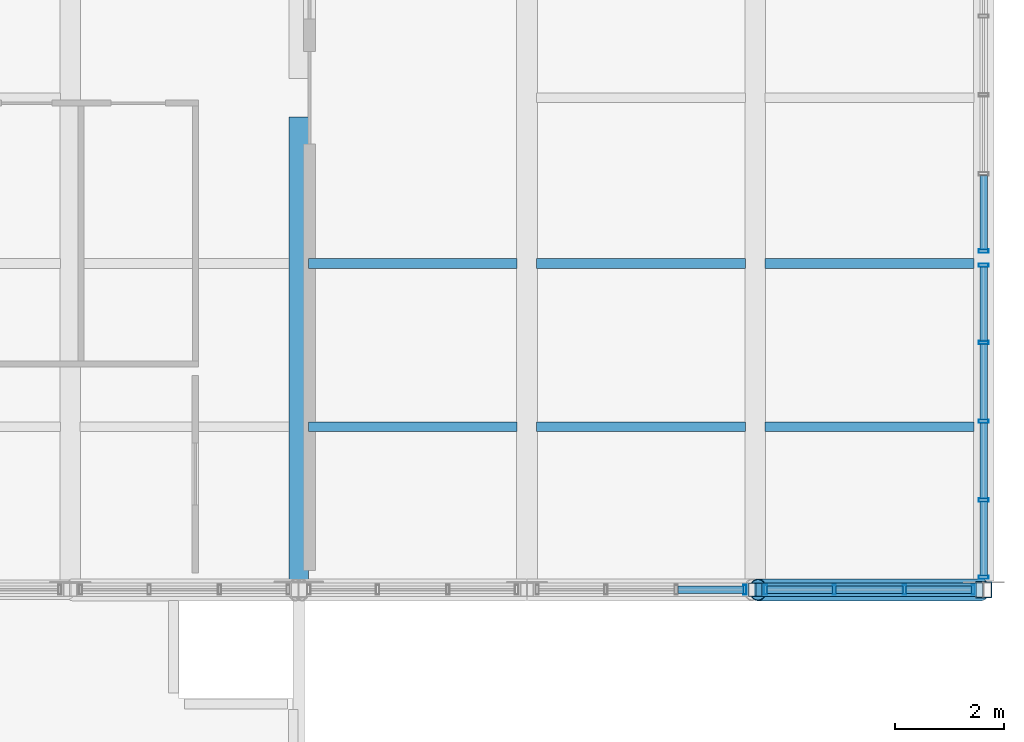
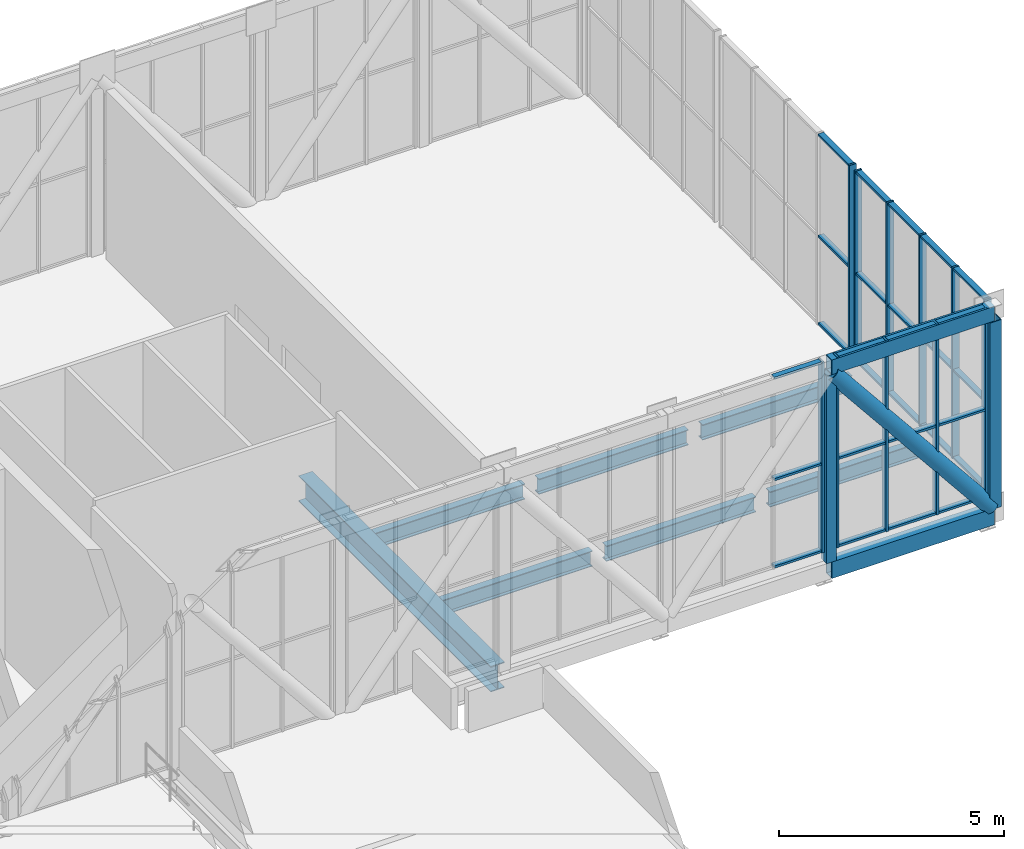
# One storey, part 37 of 58: 43 members, 7 beams, 4 elements without a shape of their own.
"""IFC4 building model written with IfcOpenShell, lengths in metres."""

from ifc_helpers import new_model, si_unit, direction, frame, origin, origin_2d, place, context, subcontext, project, spatial, hollow_rectangle, hollow_circle, i_section, extrude, material, material_profile, profile_set, type_object, element, aggregate, save


model = new_model("IFC4")

# Units and contexts
model_context = context("Model", 3, precision=1e-05, world=origin(), true_north=direction((0.0, 1.0)))
body_context = subcontext(model_context, "Body", "Model", "MODEL_VIEW")
ifc_project = project(units=[si_unit("LENGTHUNIT", "METRE"), si_unit("AREAUNIT", "SQUARE_METRE"), si_unit("VOLUMEUNIT", "CUBIC_METRE"), si_unit("PLANEANGLEUNIT", "RADIAN"), si_unit("MASSUNIT", "GRAM", prefix="KILO")], contexts=[model_context])

# Site, building, storey
site_placement = place(None, origin())
site = spatial("IfcSite", under=ifc_project, at=site_placement, CompositionType="ELEMENT")
building_placement = place(site_placement, origin())
building = spatial("IfcBuilding", under=site, at=building_placement, Name="Khurvash Pelagic Aquarium", CompositionType="ELEMENT")
storey_placement = place(building_placement, frame((0.0, 0.0, 24.60009765625)))
storey = spatial("IfcBuildingStorey", under=building, at=storey_placement, Name="L05", CompositionType="ELEMENT", Elevation=24.60009765625)

# Beam
ifc_material_1 = material(Name="Steel ASTM A992 Grade 50", Category="steel")
ifc_material_profile_1 = material_profile(ifc_material_1, i_section(OverallWidth=0.35595703125, OverallDepth=0.696044921875, WebThickness=0.015380859375, FlangeThickness=0.02490234375, at=origin_2d()), Name="W27X146")
ifc_profile_set_1 = profile_set([ifc_material_profile_1], Name="Steel ASTM A992 Grade 50")
beam_type_1 = type_object("IfcBeamType", Name="BM-09", PredefinedType="BEAM", material=ifc_profile_set_1)
beam_placement = place(storey_placement, frame((109.199951171875, 11.81005859375, -0.648193359375), z_axis=(0.0, 1.0, 0.0), x_axis=(-1.0, 0.0, 0.0)))
element("IfcBeam", 1, at=beam_placement, inside=storey, type_object=beam_type_1, Name="L05 Sky-Bar Transverse Floor Girder BM-09 N24", PredefinedType="BEAM", context=body_context, shape_type="SweptSolid", body=[
    extrude(i_section(OverallWidth=0.35595703125, OverallDepth=0.696044921875, WebThickness=0.015380859375, FlangeThickness=0.02490234375, at=origin_2d()), origin(), (0.0, 0.0, 1.0), 8.5400390625),
])

# Curtain wall, member
ifc_material_2 = material(Name="Anodised aluminium and low-E laminated glass", Category="aluminium")
curtain_wall_type_1 = type_object("IfcCurtainWallType", Name="CW-01", PredefinedType="USERDEFINED", material=ifc_material_2)
curtain_wall_1_placement = place(storey_placement, origin())
curtain_wall_1 = element("IfcCurtainWall", 2, at=curtain_wall_1_placement, inside=storey, type_object=curtain_wall_type_1, Name="L05 South Sky-Bar Unitised Curtain Wall CW-01 P25", ObjectType="UNITISED CURTAIN WALL", PredefinedType="USERDEFINED")
ifc_material_3 = material(Name="Extruded aluminium AW-6063-T6", Category="aluminium")
ifc_material_profile_2 = material_profile(ifc_material_3, hollow_rectangle(XDim=0.06005859375, YDim=0.179931640625, WallThickness=0.00390625, at=origin_2d()), Name="CWM60X180X4")
ifc_profile_set_2 = profile_set([ifc_material_profile_2], Name="Extruded aluminium AW-6063-T6")
member_type_1 = type_object("IfcMemberType", Name="CM-01", PredefinedType="MULLION", material=ifc_profile_set_2)
member_1_placement = place(storey_placement, frame((117.409912109375, 11.64990234375, 0.0), z_axis=(0.0, 0.0, 1.0), x_axis=(1.0, 0.0, 0.0)))
member_1 = element("IfcMember", 3, at=member_1_placement, type_object=member_type_1, Name="CW-01 mullion 4", PredefinedType="MULLION", context=body_context, shape_type="SweptSolid", body=[
    extrude(hollow_rectangle(XDim=0.06005859375, YDim=0.179931640625, WallThickness=0.00390625, at=origin_2d()), origin(), (0.0, 0.0, 1.0), 5.179931640625),
])

# Curtain wall, members
curtain_wall_2_placement = place(storey_placement, origin())
curtain_wall_2 = element("IfcCurtainWall", 4, at=curtain_wall_2_placement, inside=storey, type_object=curtain_wall_type_1, Name="L05 South Sky-Bar Unitised Curtain Wall CW-01 P26", ObjectType="UNITISED CURTAIN WALL", PredefinedType="USERDEFINED")
member_2_placement = place(storey_placement, frame((117.7900390625, 11.64990234375, 0.0), z_axis=(0.0, 0.0, 1.0), x_axis=(1.0, 0.0, 0.0)))
member_2 = element("IfcMember", 5, at=member_2_placement, type_object=member_type_1, Name="CW-01 mullion 1", PredefinedType="MULLION", context=body_context, shape_type="SweptSolid", body=[
    extrude(hollow_rectangle(XDim=0.06005859375, YDim=0.179931640625, WallThickness=0.00390625, at=origin_2d()), origin(), (0.0, 0.0, 1.0), 5.179931640625),
])
member_3_placement = place(storey_placement, frame((119.05322265625, 11.64990234375, 0.0), z_axis=(0.0, 0.0, 1.0), x_axis=(1.0, 0.0, 0.0)))
member_3 = element("IfcMember", 6, at=member_3_placement, type_object=member_type_1, Name="CW-01 mullion 2", PredefinedType="MULLION", context=body_context, shape_type="SweptSolid", body=[
    extrude(hollow_rectangle(XDim=0.06005859375, YDim=0.179931640625, WallThickness=0.00390625, at=origin_2d()), origin(), (0.0, 0.0, 1.0), 5.179931640625),
])
member_4_placement = place(storey_placement, frame((120.3466796875, 11.64990234375, 0.0), z_axis=(0.0, 0.0, 1.0), x_axis=(1.0, 0.0, 0.0)))
member_4 = element("IfcMember", 7, at=member_4_placement, type_object=member_type_1, Name="CW-01 mullion 3", PredefinedType="MULLION", context=body_context, shape_type="SweptSolid", body=[
    extrude(hollow_rectangle(XDim=0.06005859375, YDim=0.179931640625, WallThickness=0.00390625, at=origin_2d()), origin(), (0.0, 0.0, 1.0), 5.179931640625),
])
member_5_placement = place(storey_placement, frame((121.610107421875, 11.64990234375, 0.0), z_axis=(0.0, 0.0, 1.0), x_axis=(1.0, 0.0, 0.0)))
member_5 = element("IfcMember", 8, at=member_5_placement, type_object=member_type_1, Name="CW-01 mullion 4", PredefinedType="MULLION", context=body_context, shape_type="SweptSolid", body=[
    extrude(hollow_rectangle(XDim=0.06005859375, YDim=0.179931640625, WallThickness=0.00390625, at=origin_2d()), origin(), (0.0, 0.0, 1.0), 5.179931640625),
])

curtain_wall_type_2 = type_object("IfcCurtainWallType", Name="CW-04", PredefinedType="USERDEFINED", material=ifc_material_2)
curtain_wall_3_placement = place(storey_placement, origin())
curtain_wall_3 = element("IfcCurtainWall", 9, at=curtain_wall_3_placement, inside=storey, type_object=curtain_wall_type_2, Name="L05 East Cantilever Overlook Curtain Wall CW-04", ObjectType="UNITISED CURTAIN WALL", PredefinedType="USERDEFINED")
member_6_placement = place(storey_placement, frame((121.800048828125, 11.8798828125, 0.0), z_axis=(0.0, 0.0, 1.0), x_axis=(0.0, 1.0, 0.0)))
member_6 = element("IfcMember", 10, at=member_6_placement, type_object=member_type_1, Name="CW-04 mullion 1", PredefinedType="MULLION", context=body_context, shape_type="SweptSolid", body=[
    extrude(hollow_rectangle(XDim=0.06005859375, YDim=0.179931640625, WallThickness=0.00390625, at=origin_2d()), origin(), (0.0, 0.0, 1.0), 5.179931640625),
])
member_7_placement = place(storey_placement, frame((121.800048828125, 13.300048828125, 0.0), z_axis=(0.0, 0.0, 1.0), x_axis=(0.0, 1.0, 0.0)))
member_7 = element("IfcMember", 11, at=member_7_placement, type_object=member_type_1, Name="CW-04 mullion 2", PredefinedType="MULLION", context=body_context, shape_type="SweptSolid", body=[
    extrude(hollow_rectangle(XDim=0.06005859375, YDim=0.179931640625, WallThickness=0.00390625, at=origin_2d()), origin(), (0.0, 0.0, 1.0), 5.179931640625),
])
member_8_placement = place(storey_placement, frame((121.800048828125, 14.75, 0.0), z_axis=(0.0, 0.0, 1.0), x_axis=(0.0, 1.0, 0.0)))
member_8 = element("IfcMember", 12, at=member_8_placement, type_object=member_type_1, Name="CW-04 mullion 3", PredefinedType="MULLION", context=body_context, shape_type="SweptSolid", body=[
    extrude(hollow_rectangle(XDim=0.06005859375, YDim=0.179931640625, WallThickness=0.00390625, at=origin_2d()), origin(), (0.0, 0.0, 1.0), 5.179931640625),
])
member_9_placement = place(storey_placement, frame((121.800048828125, 16.199951171875, 0.0), z_axis=(0.0, 0.0, 1.0), x_axis=(0.0, 1.0, 0.0)))
member_9 = element("IfcMember", 13, at=member_9_placement, type_object=member_type_1, Name="CW-04 mullion 4", PredefinedType="MULLION", context=body_context, shape_type="SweptSolid", body=[
    extrude(hollow_rectangle(XDim=0.06005859375, YDim=0.179931640625, WallThickness=0.00390625, at=origin_2d()), origin(), (0.0, 0.0, 1.0), 5.179931640625),
])
member_10_placement = place(storey_placement, frame((121.800048828125, 17.6201171875, 0.0), z_axis=(0.0, 0.0, 1.0), x_axis=(0.0, 1.0, 0.0)))
member_10 = element("IfcMember", 14, at=member_10_placement, type_object=member_type_1, Name="CW-04 mullion 5", PredefinedType="MULLION", context=body_context, shape_type="SweptSolid", body=[
    extrude(hollow_rectangle(XDim=0.06005859375, YDim=0.179931640625, WallThickness=0.00390625, at=origin_2d()), origin(), (0.0, 0.0, 1.0), 5.179931640625),
])

# Curtain wall, member
curtain_wall_4_placement = place(storey_placement, origin())
curtain_wall_4 = element("IfcCurtainWall", 15, at=curtain_wall_4_placement, inside=storey, type_object=curtain_wall_type_2, Name="L05 East Cantilever Overlook Curtain Wall CW-04", ObjectType="UNITISED CURTAIN WALL", PredefinedType="USERDEFINED")
member_11_placement = place(storey_placement, frame((121.800048828125, 17.8798828125, 0.0), z_axis=(0.0, 0.0, 1.0), x_axis=(0.0, 1.0, 0.0)))
member_11 = element("IfcMember", 16, at=member_11_placement, type_object=member_type_1, Name="CW-04 mullion 1", PredefinedType="MULLION", context=body_context, shape_type="SweptSolid", body=[
    extrude(hollow_rectangle(XDim=0.06005859375, YDim=0.179931640625, WallThickness=0.00390625, at=origin_2d()), origin(), (0.0, 0.0, 1.0), 5.179931640625),
])

# Member
ifc_material_profile_3 = material_profile(ifc_material_3, hollow_rectangle(XDim=0.139892578125, YDim=0.06005859375, WallThickness=0.00390625, at=origin_2d()), Name="CWT140X60X4")
ifc_profile_set_3 = profile_set([ifc_material_profile_3], Name="Extruded aluminium AW-6063-T6")
member_type_2 = type_object("IfcMemberType", Name="CT-01", PredefinedType="USERDEFINED", material=ifc_profile_set_3)
member_12_placement = place(storey_placement, frame((116.1767578125, 11.64990234375, 0.02978515625), z_axis=(1.0, 0.0, 0.0), x_axis=(0.0, 1.0, 0.0)))
member_12 = element("IfcMember", 17, at=member_12_placement, type_object=member_type_2, Name="CW-01 transom 3.1", ObjectType="TRANSOM", PredefinedType="USERDEFINED", context=body_context, shape_type="SweptSolid", body=[
    extrude(hollow_rectangle(XDim=0.139892578125, YDim=0.06005859375, WallThickness=0.00390625, at=origin_2d()), origin(), (0.0, 0.0, 1.0), 1.203125),
])

member_13_placement = place(storey_placement, frame((116.1767578125, 11.64990234375, 2.39990234375), z_axis=(1.0, 0.0, 0.0), x_axis=(0.0, 1.0, 0.0)))
member_13 = element("IfcMember", 18, at=member_13_placement, type_object=member_type_2, Name="CW-01 transom 3.2", ObjectType="TRANSOM", PredefinedType="USERDEFINED", context=body_context, shape_type="SweptSolid", body=[
    extrude(hollow_rectangle(XDim=0.139892578125, YDim=0.06005859375, WallThickness=0.00390625, at=origin_2d()), origin(), (0.0, 0.0, 1.0), 1.203125),
])

member_14_placement = place(storey_placement, frame((116.1767578125, 11.64990234375, 5.14990234375), z_axis=(1.0, 0.0, 0.0), x_axis=(0.0, 1.0, 0.0)))
member_14 = element("IfcMember", 19, at=member_14_placement, type_object=member_type_2, Name="CW-01 transom 3.3", ObjectType="TRANSOM", PredefinedType="USERDEFINED", context=body_context, shape_type="SweptSolid", body=[
    extrude(hollow_rectangle(XDim=0.139892578125, YDim=0.06005859375, WallThickness=0.00390625, at=origin_2d()), origin(), (0.0, 0.0, 1.0), 1.203125),
])

aggregate(curtain_wall_1, [member_1, member_12, member_13, member_14])

member_15_placement = place(storey_placement, frame((117.820068359375, 11.64990234375, 0.02978515625), z_axis=(1.0, 0.0, 0.0), x_axis=(0.0, 1.0, 0.0)))
member_15 = element("IfcMember", 20, at=member_15_placement, type_object=member_type_2, Name="CW-01 transom 1.1", ObjectType="TRANSOM", PredefinedType="USERDEFINED", context=body_context, shape_type="SweptSolid", body=[
    extrude(hollow_rectangle(XDim=0.139892578125, YDim=0.06005859375, WallThickness=0.00390625, at=origin_2d()), origin(), (0.0, 0.0, 1.0), 1.203369140625),
])

member_16_placement = place(storey_placement, frame((117.820068359375, 11.64990234375, 2.39990234375), z_axis=(1.0, 0.0, 0.0), x_axis=(0.0, 1.0, 0.0)))
member_16 = element("IfcMember", 21, at=member_16_placement, type_object=member_type_2, Name="CW-01 transom 1.2", ObjectType="TRANSOM", PredefinedType="USERDEFINED", context=body_context, shape_type="SweptSolid", body=[
    extrude(hollow_rectangle(XDim=0.139892578125, YDim=0.06005859375, WallThickness=0.00390625, at=origin_2d()), origin(), (0.0, 0.0, 1.0), 1.203369140625),
])

member_17_placement = place(storey_placement, frame((117.820068359375, 11.64990234375, 5.14990234375), z_axis=(1.0, 0.0, 0.0), x_axis=(0.0, 1.0, 0.0)))
member_17 = element("IfcMember", 22, at=member_17_placement, type_object=member_type_2, Name="CW-01 transom 1.3", ObjectType="TRANSOM", PredefinedType="USERDEFINED", context=body_context, shape_type="SweptSolid", body=[
    extrude(hollow_rectangle(XDim=0.139892578125, YDim=0.06005859375, WallThickness=0.00390625, at=origin_2d()), origin(), (0.0, 0.0, 1.0), 1.203369140625),
])

member_18_placement = place(storey_placement, frame((119.083251953125, 11.64990234375, 0.02978515625), z_axis=(1.0, 0.0, 0.0), x_axis=(0.0, 1.0, 0.0)))
member_18 = element("IfcMember", 23, at=member_18_placement, type_object=member_type_2, Name="CW-01 transom 2.1", ObjectType="TRANSOM", PredefinedType="USERDEFINED", context=body_context, shape_type="SweptSolid", body=[
    extrude(hollow_rectangle(XDim=0.139892578125, YDim=0.06005859375, WallThickness=0.00390625, at=origin_2d()), origin(), (0.0, 0.0, 1.0), 1.2333984375),
])

member_19_placement = place(storey_placement, frame((119.083251953125, 11.64990234375, 2.39990234375), z_axis=(1.0, 0.0, 0.0), x_axis=(0.0, 1.0, 0.0)))
member_19 = element("IfcMember", 24, at=member_19_placement, type_object=member_type_2, Name="CW-01 transom 2.2", ObjectType="TRANSOM", PredefinedType="USERDEFINED", context=body_context, shape_type="SweptSolid", body=[
    extrude(hollow_rectangle(XDim=0.139892578125, YDim=0.06005859375, WallThickness=0.00390625, at=origin_2d()), origin(), (0.0, 0.0, 1.0), 1.2333984375),
])

member_20_placement = place(storey_placement, frame((119.083251953125, 11.64990234375, 5.14990234375), z_axis=(1.0, 0.0, 0.0), x_axis=(0.0, 1.0, 0.0)))
member_20 = element("IfcMember", 25, at=member_20_placement, type_object=member_type_2, Name="CW-01 transom 2.3", ObjectType="TRANSOM", PredefinedType="USERDEFINED", context=body_context, shape_type="SweptSolid", body=[
    extrude(hollow_rectangle(XDim=0.139892578125, YDim=0.06005859375, WallThickness=0.00390625, at=origin_2d()), origin(), (0.0, 0.0, 1.0), 1.2333984375),
])

member_21_placement = place(storey_placement, frame((120.376708984375, 11.64990234375, 0.02978515625), z_axis=(1.0, 0.0, 0.0), x_axis=(0.0, 1.0, 0.0)))
member_21 = element("IfcMember", 26, at=member_21_placement, type_object=member_type_2, Name="CW-01 transom 3.1", ObjectType="TRANSOM", PredefinedType="USERDEFINED", context=body_context, shape_type="SweptSolid", body=[
    extrude(hollow_rectangle(XDim=0.139892578125, YDim=0.06005859375, WallThickness=0.00390625, at=origin_2d()), origin(), (0.0, 0.0, 1.0), 1.203369140625),
])

member_22_placement = place(storey_placement, frame((120.376708984375, 11.64990234375, 2.39990234375), z_axis=(1.0, 0.0, 0.0), x_axis=(0.0, 1.0, 0.0)))
member_22 = element("IfcMember", 27, at=member_22_placement, type_object=member_type_2, Name="CW-01 transom 3.2", ObjectType="TRANSOM", PredefinedType="USERDEFINED", context=body_context, shape_type="SweptSolid", body=[
    extrude(hollow_rectangle(XDim=0.139892578125, YDim=0.06005859375, WallThickness=0.00390625, at=origin_2d()), origin(), (0.0, 0.0, 1.0), 1.203369140625),
])

member_23_placement = place(storey_placement, frame((120.376708984375, 11.64990234375, 5.14990234375), z_axis=(1.0, 0.0, 0.0), x_axis=(0.0, 1.0, 0.0)))
member_23 = element("IfcMember", 28, at=member_23_placement, type_object=member_type_2, Name="CW-01 transom 3.3", ObjectType="TRANSOM", PredefinedType="USERDEFINED", context=body_context, shape_type="SweptSolid", body=[
    extrude(hollow_rectangle(XDim=0.139892578125, YDim=0.06005859375, WallThickness=0.00390625, at=origin_2d()), origin(), (0.0, 0.0, 1.0), 1.203369140625),
])

aggregate(curtain_wall_2, [member_2, member_3, member_4, member_5, member_15, member_16, member_17, member_18, member_19, member_20, member_21, member_22, member_23])

member_24_placement = place(storey_placement, frame((121.800048828125, 11.909912109375, 0.02978515625), z_axis=(0.0, 1.0, 0.0), x_axis=(-1.0, 0.0, 0.0)))
member_24 = element("IfcMember", 29, at=member_24_placement, type_object=member_type_2, Name="CW-04 transom 1.1", ObjectType="TRANSOM", PredefinedType="USERDEFINED", context=body_context, shape_type="SweptSolid", body=[
    extrude(hollow_rectangle(XDim=0.139892578125, YDim=0.06005859375, WallThickness=0.00390625, at=origin_2d()), origin(), (0.0, 0.0, 1.0), 1.360107421875),
])

member_25_placement = place(storey_placement, frame((121.800048828125, 11.909912109375, 2.39990234375), z_axis=(0.0, 1.0, 0.0), x_axis=(-1.0, 0.0, 0.0)))
member_25 = element("IfcMember", 30, at=member_25_placement, type_object=member_type_2, Name="CW-04 transom 1.2", ObjectType="TRANSOM", PredefinedType="USERDEFINED", context=body_context, shape_type="SweptSolid", body=[
    extrude(hollow_rectangle(XDim=0.139892578125, YDim=0.06005859375, WallThickness=0.00390625, at=origin_2d()), origin(), (0.0, 0.0, 1.0), 1.360107421875),
])

member_26_placement = place(storey_placement, frame((121.800048828125, 11.909912109375, 5.14990234375), z_axis=(0.0, 1.0, 0.0), x_axis=(-1.0, 0.0, 0.0)))
member_26 = element("IfcMember", 31, at=member_26_placement, type_object=member_type_2, Name="CW-04 transom 1.3", ObjectType="TRANSOM", PredefinedType="USERDEFINED", context=body_context, shape_type="SweptSolid", body=[
    extrude(hollow_rectangle(XDim=0.139892578125, YDim=0.06005859375, WallThickness=0.00390625, at=origin_2d()), origin(), (0.0, 0.0, 1.0), 1.360107421875),
])

member_27_placement = place(storey_placement, frame((121.800048828125, 13.330078125, 0.02978515625), z_axis=(0.0, 1.0, 0.0), x_axis=(-1.0, 0.0, 0.0)))
member_27 = element("IfcMember", 32, at=member_27_placement, type_object=member_type_2, Name="CW-04 transom 2.1", ObjectType="TRANSOM", PredefinedType="USERDEFINED", context=body_context, shape_type="SweptSolid", body=[
    extrude(hollow_rectangle(XDim=0.139892578125, YDim=0.06005859375, WallThickness=0.00390625, at=origin_2d()), origin(), (0.0, 0.0, 1.0), 1.389892578125),
])

member_28_placement = place(storey_placement, frame((121.800048828125, 13.330078125, 2.39990234375), z_axis=(0.0, 1.0, 0.0), x_axis=(-1.0, 0.0, 0.0)))
member_28 = element("IfcMember", 33, at=member_28_placement, type_object=member_type_2, Name="CW-04 transom 2.2", ObjectType="TRANSOM", PredefinedType="USERDEFINED", context=body_context, shape_type="SweptSolid", body=[
    extrude(hollow_rectangle(XDim=0.139892578125, YDim=0.06005859375, WallThickness=0.00390625, at=origin_2d()), origin(), (0.0, 0.0, 1.0), 1.389892578125),
])

member_29_placement = place(storey_placement, frame((121.800048828125, 13.330078125, 5.14990234375), z_axis=(0.0, 1.0, 0.0), x_axis=(-1.0, 0.0, 0.0)))
member_29 = element("IfcMember", 34, at=member_29_placement, type_object=member_type_2, Name="CW-04 transom 2.3", ObjectType="TRANSOM", PredefinedType="USERDEFINED", context=body_context, shape_type="SweptSolid", body=[
    extrude(hollow_rectangle(XDim=0.139892578125, YDim=0.06005859375, WallThickness=0.00390625, at=origin_2d()), origin(), (0.0, 0.0, 1.0), 1.389892578125),
])

member_30_placement = place(storey_placement, frame((121.800048828125, 14.780029296875, 0.02978515625), z_axis=(0.0, 1.0, 0.0), x_axis=(-1.0, 0.0, 0.0)))
member_30 = element("IfcMember", 35, at=member_30_placement, type_object=member_type_2, Name="CW-04 transom 3.1", ObjectType="TRANSOM", PredefinedType="USERDEFINED", context=body_context, shape_type="SweptSolid", body=[
    extrude(hollow_rectangle(XDim=0.139892578125, YDim=0.06005859375, WallThickness=0.00390625, at=origin_2d()), origin(), (0.0, 0.0, 1.0), 1.389892578125),
])

member_31_placement = place(storey_placement, frame((121.800048828125, 14.780029296875, 2.39990234375), z_axis=(0.0, 1.0, 0.0), x_axis=(-1.0, 0.0, 0.0)))
member_31 = element("IfcMember", 36, at=member_31_placement, type_object=member_type_2, Name="CW-04 transom 3.2", ObjectType="TRANSOM", PredefinedType="USERDEFINED", context=body_context, shape_type="SweptSolid", body=[
    extrude(hollow_rectangle(XDim=0.139892578125, YDim=0.06005859375, WallThickness=0.00390625, at=origin_2d()), origin(), (0.0, 0.0, 1.0), 1.389892578125),
])

member_32_placement = place(storey_placement, frame((121.800048828125, 14.780029296875, 5.14990234375), z_axis=(0.0, 1.0, 0.0), x_axis=(-1.0, 0.0, 0.0)))
member_32 = element("IfcMember", 37, at=member_32_placement, type_object=member_type_2, Name="CW-04 transom 3.3", ObjectType="TRANSOM", PredefinedType="USERDEFINED", context=body_context, shape_type="SweptSolid", body=[
    extrude(hollow_rectangle(XDim=0.139892578125, YDim=0.06005859375, WallThickness=0.00390625, at=origin_2d()), origin(), (0.0, 0.0, 1.0), 1.389892578125),
])

member_33_placement = place(storey_placement, frame((121.800048828125, 16.22998046875, 0.02978515625), z_axis=(0.0, 1.0, 0.0), x_axis=(-1.0, 0.0, 0.0)))
member_33 = element("IfcMember", 38, at=member_33_placement, type_object=member_type_2, Name="CW-04 transom 4.1", ObjectType="TRANSOM", PredefinedType="USERDEFINED", context=body_context, shape_type="SweptSolid", body=[
    extrude(hollow_rectangle(XDim=0.139892578125, YDim=0.06005859375, WallThickness=0.00390625, at=origin_2d()), origin(), (0.0, 0.0, 1.0), 1.360107421875),
])

member_34_placement = place(storey_placement, frame((121.800048828125, 16.22998046875, 2.39990234375), z_axis=(0.0, 1.0, 0.0), x_axis=(-1.0, 0.0, 0.0)))
member_34 = element("IfcMember", 39, at=member_34_placement, type_object=member_type_2, Name="CW-04 transom 4.2", ObjectType="TRANSOM", PredefinedType="USERDEFINED", context=body_context, shape_type="SweptSolid", body=[
    extrude(hollow_rectangle(XDim=0.139892578125, YDim=0.06005859375, WallThickness=0.00390625, at=origin_2d()), origin(), (0.0, 0.0, 1.0), 1.360107421875),
])

member_35_placement = place(storey_placement, frame((121.800048828125, 16.22998046875, 5.14990234375), z_axis=(0.0, 1.0, 0.0), x_axis=(-1.0, 0.0, 0.0)))
member_35 = element("IfcMember", 40, at=member_35_placement, type_object=member_type_2, Name="CW-04 transom 4.3", ObjectType="TRANSOM", PredefinedType="USERDEFINED", context=body_context, shape_type="SweptSolid", body=[
    extrude(hollow_rectangle(XDim=0.139892578125, YDim=0.06005859375, WallThickness=0.00390625, at=origin_2d()), origin(), (0.0, 0.0, 1.0), 1.360107421875),
])

aggregate(curtain_wall_3, [member_6, member_7, member_8, member_9, member_10, member_24, member_25, member_26, member_27, member_28, member_29, member_30, member_31, member_32, member_33, member_34, member_35])

member_36_placement = place(storey_placement, frame((121.800048828125, 17.909912109375, 0.02978515625), z_axis=(0.0, 1.0, 0.0), x_axis=(-1.0, 0.0, 0.0)))
member_36 = element("IfcMember", 41, at=member_36_placement, type_object=member_type_2, Name="CW-04 transom 1.1", ObjectType="TRANSOM", PredefinedType="USERDEFINED", context=body_context, shape_type="SweptSolid", body=[
    extrude(hollow_rectangle(XDim=0.139892578125, YDim=0.06005859375, WallThickness=0.00390625, at=origin_2d()), origin(), (0.0, 0.0, 1.0), 1.360107421875),
])

member_37_placement = place(storey_placement, frame((121.800048828125, 17.909912109375, 2.39990234375), z_axis=(0.0, 1.0, 0.0), x_axis=(-1.0, 0.0, 0.0)))
member_37 = element("IfcMember", 42, at=member_37_placement, type_object=member_type_2, Name="CW-04 transom 1.2", ObjectType="TRANSOM", PredefinedType="USERDEFINED", context=body_context, shape_type="SweptSolid", body=[
    extrude(hollow_rectangle(XDim=0.139892578125, YDim=0.06005859375, WallThickness=0.00390625, at=origin_2d()), origin(), (0.0, 0.0, 1.0), 1.360107421875),
])

member_38_placement = place(storey_placement, frame((121.800048828125, 17.909912109375, 5.14990234375), z_axis=(0.0, 1.0, 0.0), x_axis=(-1.0, 0.0, 0.0)))
member_38 = element("IfcMember", 43, at=member_38_placement, type_object=member_type_2, Name="CW-04 transom 1.3", ObjectType="TRANSOM", PredefinedType="USERDEFINED", context=body_context, shape_type="SweptSolid", body=[
    extrude(hollow_rectangle(XDim=0.139892578125, YDim=0.06005859375, WallThickness=0.00390625, at=origin_2d()), origin(), (0.0, 0.0, 1.0), 1.360107421875),
])

aggregate(curtain_wall_4, [member_11, member_36, member_37, member_38])

# Beams
ifc_material_profile_4 = material_profile(ifc_material_1, i_section(OverallWidth=0.180908203125, OverallDepth=0.4169921875, WebThickness=0.010986328125, FlangeThickness=0.018310546875, at=origin_2d()), Name="W16X57")
ifc_profile_set_4 = profile_set([ifc_material_profile_4], Name="Steel ASTM A992 Grade 50")
beam_type_2 = type_object("IfcBeamType", Name="JS-03", PredefinedType="JOIST", material=ifc_profile_set_4)
for number, where, z_axis, x_axis, name in (
    (44, (109.3798828125, 14.64990234375, -0.508544921875), (1.0, 0.0, 0.0), (0.0, 1.0, 0.0), "L05 Sky-Bar Floor Joist JS-03 P24"),
    (45, (109.3798828125, 17.64990234375, -0.508544921875), (1.0, 0.0, 0.0), (0.0, 1.0, 0.0), "L05 Sky-Bar Floor Joist JS-03 P24"),
):
    element("IfcBeam", number, at=place(storey_placement, frame(where, z_axis=z_axis, x_axis=x_axis)), inside=storey, type_object=beam_type_2, Name=name, PredefinedType="JOIST", context=body_context, shape_type="SweptSolid", body=[
        extrude(i_section(OverallWidth=0.180908203125, OverallDepth=0.4169921875, WebThickness=0.010986328125, FlangeThickness=0.018310546875, at=origin_2d()), origin(), (0.0, 0.0, 1.0), 3.840087890625),
    ])
for number, where, z_axis, x_axis, name in (
    (46, (113.580078125, 14.64990234375, -0.508544921875), (1.0, 0.0, 0.0), (0.0, 1.0, 0.0), "L05 Sky-Bar Floor Joist JS-03 P25"),
    (47, (113.580078125, 17.64990234375, -0.508544921875), (1.0, 0.0, 0.0), (0.0, 1.0, 0.0), "L05 Sky-Bar Floor Joist JS-03 P25"),
):
    element("IfcBeam", number, at=place(storey_placement, frame(where, z_axis=z_axis, x_axis=x_axis)), inside=storey, type_object=beam_type_2, Name=name, PredefinedType="JOIST", context=body_context, shape_type="SweptSolid", body=[
        extrude(i_section(OverallWidth=0.180908203125, OverallDepth=0.4169921875, WebThickness=0.010986328125, FlangeThickness=0.018310546875, at=origin_2d()), origin(), (0.0, 0.0, 1.0), 3.83984375),
    ])
for number, where, z_axis, x_axis, name in (
    (48, (117.780029296875, 14.64990234375, -0.508544921875), (1.0, 0.0, 0.0), (0.0, 1.0, 0.0), "L05 Sky-Bar Floor Joist JS-03 P26"),
    (49, (117.780029296875, 17.64990234375, -0.508544921875), (1.0, 0.0, 0.0), (0.0, 1.0, 0.0), "L05 Sky-Bar Floor Joist JS-03 P26"),
):
    element("IfcBeam", number, at=place(storey_placement, frame(where, z_axis=z_axis, x_axis=x_axis)), inside=storey, type_object=beam_type_2, Name=name, PredefinedType="JOIST", context=body_context, shape_type="SweptSolid", body=[
        extrude(i_section(OverallWidth=0.180908203125, OverallDepth=0.4169921875, WebThickness=0.010986328125, FlangeThickness=0.018310546875, at=origin_2d()), origin(), (0.0, 0.0, 1.0), 3.840087890625),
    ])

# Members
ifc_material_4 = material(Name="Steel S355J2", Category="steel")
ifc_material_profile_5 = material_profile(ifc_material_4, hollow_rectangle(XDim=0.25, YDim=0.449951171875, WallThickness=0.02001953125, at=origin_2d()), Name="RHS450X250X20")
ifc_profile_set_5 = profile_set([ifc_material_profile_5], Name="Steel S355J2")
member_type_3 = type_object("IfcMemberType", Name="TC-01", PredefinedType="CHORD", material=ifc_profile_set_5)
member_39_placement = place(storey_placement, frame((117.610107421875, 11.64990234375, -0.525146484375), z_axis=(1.0, 0.0, 0.0), x_axis=(0.0, 1.0, 0.0)))
element("IfcMember", 50, at=member_39_placement, inside=storey, type_object=member_type_3, Name="L05 South Sky-Bar Warren Truss Bottom Chord TC-01 P26", PredefinedType="CHORD", context=body_context, shape_type="SweptSolid", body=[
    extrude(hollow_rectangle(XDim=0.25, YDim=0.449951171875, WallThickness=0.02001953125, at=origin_2d()), origin(), (0.0, 0.0, 1.0), 4.179931640625),
])
ifc_material_profile_6 = material_profile(ifc_material_4, hollow_rectangle(XDim=0.25, YDim=0.39990234375, WallThickness=0.01611328125, at=origin_2d()), Name="RHS400X250X16")
ifc_profile_set_6 = profile_set([ifc_material_profile_6], Name="Steel S355J2")
member_type_4 = type_object("IfcMemberType", Name="TC-02", PredefinedType="CHORD", material=ifc_profile_set_6)
member_40_placement = place(storey_placement, frame((117.610107421875, 11.64990234375, 4.97998046875), z_axis=(1.0, 0.0, 0.0), x_axis=(0.0, 1.0, 0.0)))
element("IfcMember", 51, at=member_40_placement, inside=storey, type_object=member_type_4, Name="L05 South Sky-Bar Warren Truss Top Chord TC-02 P26", PredefinedType="CHORD", context=body_context, shape_type="SweptSolid", body=[
    extrude(hollow_rectangle(XDim=0.25, YDim=0.39990234375, WallThickness=0.01611328125, at=origin_2d()), origin(), (0.0, 0.0, 1.0), 4.179931640625),
])
ifc_material_profile_7 = material_profile(ifc_material_4, hollow_circle(Radius=0.203125, WallThickness=0.01611328125, at=origin_2d()), Name="CHS406X16")
ifc_profile_set_7 = profile_set([ifc_material_profile_7], Name="Steel S355J2")
member_type_5 = type_object("IfcMemberType", Name="TD-01", PredefinedType="BRACE", material=ifc_profile_set_7)
member_41_placement = place(storey_placement, frame((117.64990234375, 11.64990234375, 4.77978515625), z_axis=(0.628073304864, 0.0, -0.778154177343), x_axis=(0.0, 1.0, 0.0)))
element("IfcMember", 52, at=member_41_placement, inside=storey, type_object=member_type_5, Name="L05 South Sky-Bar Warren Truss Diagonal TD-01 P26", PredefinedType="BRACE", context=body_context, shape_type="SweptSolid", body=[
    extrude(hollow_circle(Radius=0.203125, WallThickness=0.01611328125, at=origin_2d()), origin(), (0.0, 0.0, 1.0), 6.528076171875),
])
ifc_material_profile_8 = material_profile(ifc_material_4, hollow_rectangle(XDim=0.300048828125, YDim=0.300048828125, WallThickness=0.01611328125, at=origin_2d()), Name="SHS300X300X16")
ifc_profile_set_8 = profile_set([ifc_material_profile_8], Name="Steel S355J2")
member_type_6 = type_object("IfcMemberType", Name="TV-01", PredefinedType="POST", material=ifc_profile_set_8)
member_42_placement = place(storey_placement, frame((121.800048828125, 11.64990234375, -0.300048828125), z_axis=(0.0, 0.0, 1.0), x_axis=(1.0, 0.0, 0.0)))
element("IfcMember", 53, at=member_42_placement, inside=storey, type_object=member_type_6, Name="L05 South Sky-Bar Truss Post TV-01 N27", PredefinedType="POST", context=body_context, shape_type="SweptSolid", body=[
    extrude(hollow_rectangle(XDim=0.300048828125, YDim=0.300048828125, WallThickness=0.01611328125, at=origin_2d()), origin(), (0.0, 0.0, 1.0), 5.079833984375),
])
ifc_material_profile_9 = material_profile(ifc_material_4, hollow_rectangle(XDim=0.25, YDim=0.25, WallThickness=0.012451171875, at=origin_2d()), Name="SHS250X250X12")
ifc_profile_set_9 = profile_set([ifc_material_profile_9], Name="Steel S355J2")
member_type_7 = type_object("IfcMemberType", Name="TV-02", PredefinedType="POST", material=ifc_profile_set_9)
member_43_placement = place(storey_placement, frame((117.60009765625, 11.64990234375, -0.300048828125), z_axis=(0.0, 0.0, 1.0), x_axis=(1.0, 0.0, 0.0)))
element("IfcMember", 54, at=member_43_placement, inside=storey, type_object=member_type_7, Name="L05 South Sky-Bar Truss Post TV-02 N26", PredefinedType="POST", context=body_context, shape_type="SweptSolid", body=[
    extrude(hollow_rectangle(XDim=0.25, YDim=0.25, WallThickness=0.012451171875, at=origin_2d()), origin(), (0.0, 0.0, 1.0), 5.079833984375),
])

save(model, "model.ifc")
